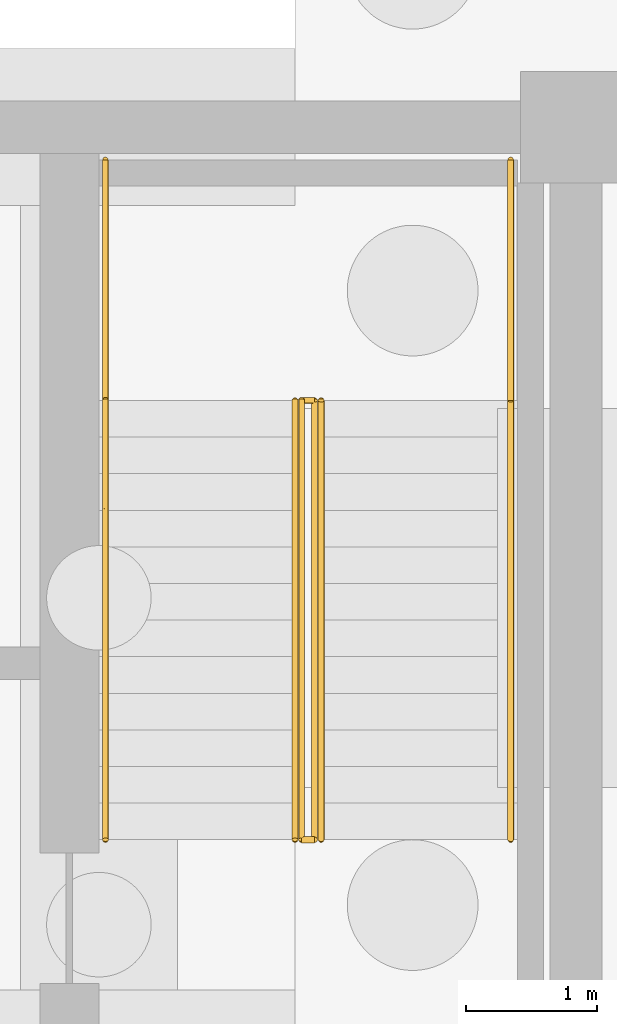
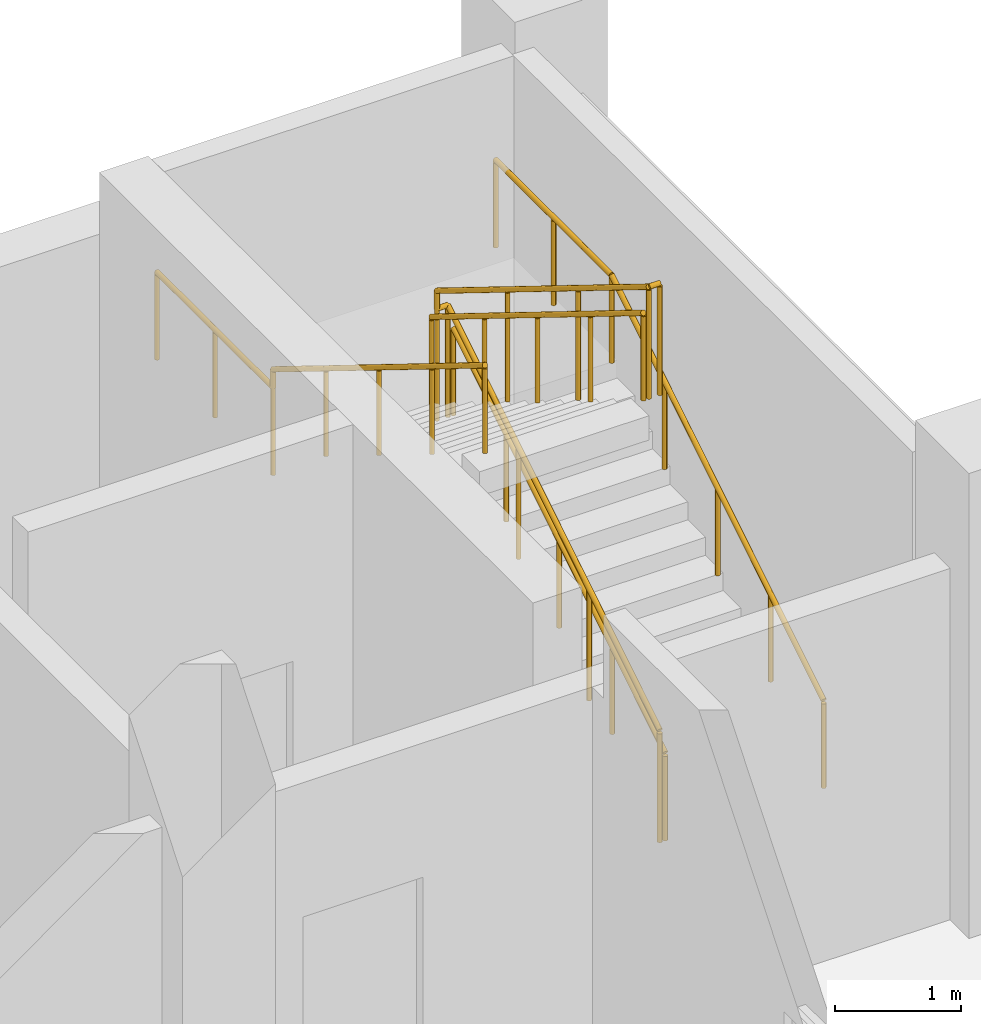
# One storey, part 18 of 19: 5 railings.
"""IFC4 building model written with IfcOpenShell, lengths in metres."""

import ifcopenshell
import ifcopenshell.guid

model = None  # the IFC model being written
_history = None  # IfcOwnerHistory: only IFC2X3 demands one
_inside = {}  # id of a spatial element -> (the spatial element, [elements in it])
_under = {}  # id of a project, library or spatial element -> (it, [spatial elements below it])
_declared = {}  # id of a project -> (the project, [libraries it declares])
_typed = {}  # id of a type object -> (the type object, [elements of that type])
_made_of = {}  # id of a material, layer set ... -> (it, [elements and type objects made of it])


def new_model(schema):
    """Start an empty IFC model of exactly this schema.

    Asked for "IFC4X3", IfcOpenShell would pick the latest addendum, in which some entities
    have other attributes; the version numbers below select the first issue.
    IFC2X3 requires an IfcOwnerHistory on every rooted entity: one is made here for all.
    """
    global model, _history
    if schema == "IFC4X3":
        model = ifcopenshell.file(schema_version=(4, 3, 0, 0))
    else:
        model = ifcopenshell.file(schema=schema)
    _inside.clear()
    _under.clear()
    _declared.clear()
    _typed.clear()
    _made_of.clear()
    _history = None
    if model.schema == "IFC2X3":
        org = make("IfcOrganization", Name="unknown")
        user = make(
            "IfcPersonAndOrganization",
            ThePerson=make("IfcPerson", FamilyName="unknown"),
            TheOrganization=org,
        )
        app = make(
            "IfcApplication",
            ApplicationDeveloper=org,
            Version="unknown",
            ApplicationFullName="unknown",
            ApplicationIdentifier="unknown",
        )
        _history = make(
            "IfcOwnerHistory",
            OwningUser=user,
            OwningApplication=app,
            ChangeAction="ADDED",
            CreationDate=0,
        )
    return model


def make(cls, **values):
    """One entity of the class cls with the attributes given. An attribute that is None is left unset."""
    return model.create_entity(
        cls, **{name: value for name, value in values.items() if value is not None}
    )


def rooted(cls, **values):
    """An entity with a GlobalId (a new one), such as an element, a storey or a relation."""
    return make(cls, GlobalId=ifcopenshell.guid.new(), OwnerHistory=_history, **values)


def si_unit(unit_type, name, prefix=None):
    """IfcSIUnit, for example si_unit("LENGTHUNIT", "METRE", prefix="MILLI")."""
    return make("IfcSIUnit", UnitType=unit_type, Prefix=prefix, Name=name)


def assignment(units):
    """IfcUnitAssignment: the units of a project."""
    return None if units is None else make("IfcUnitAssignment", Units=units)


def point(xyz):
    """IfcCartesianPoint."""
    return None if xyz is None else make("IfcCartesianPoint", Coordinates=xyz)


def direction(xyz):
    """IfcDirection."""
    return None if xyz is None else make("IfcDirection", DirectionRatios=xyz)


def frame(location, z_axis=None, x_axis=None):
    """IfcAxis2Placement3D, a coordinate frame: its origin and axes. An axis left out is left unset."""
    return make(
        "IfcAxis2Placement3D",
        Location=point(location),
        Axis=direction(z_axis),
        RefDirection=direction(x_axis),
    )


def frame_2d(location, x_axis=None):
    """IfcAxis2Placement2D, a coordinate frame in the plane: its origin and x axis."""
    return make(
        "IfcAxis2Placement2D", Location=point(location), RefDirection=direction(x_axis)
    )


def origin():
    """The frame at (0, 0, 0) with its axes left unset."""
    return frame((0.0, 0.0, 0.0))


def origin_2d():
    """The frame at (0, 0) in the plane with its x axis left unset."""
    return frame_2d((0.0, 0.0))


def place(relative_to, where):
    """IfcLocalPlacement: puts the frame where relative to a parent placement (None: the world)."""
    return make(
        "IfcLocalPlacement", PlacementRelTo=relative_to, RelativePlacement=where
    )


def context(
    kind, dimensions, precision=None, world=None, true_north=None, identifier=None
):
    """IfcGeometricRepresentationContext, for example the 3D "Model" context."""
    return make(
        "IfcGeometricRepresentationContext",
        ContextIdentifier=identifier,
        ContextType=kind,
        CoordinateSpaceDimension=dimensions,
        Precision=precision,
        WorldCoordinateSystem=world,
        TrueNorth=true_north,
    )


def subcontext(parent, identifier, kind, view, scale=None):
    """IfcGeometricRepresentationSubContext, for example "Body" below "Model"."""
    return make(
        "IfcGeometricRepresentationSubContext",
        ContextIdentifier=identifier,
        ContextType=kind,
        ParentContext=parent,
        TargetScale=scale,
        TargetView=view,
    )


def project(units=None, contexts=None):
    """IfcProject with its units and contexts."""
    return rooted(
        "IfcProject",
        Name="project",
        RepresentationContexts=contexts,
        UnitsInContext=assignment(units),
    )


def spatial(cls, under=None, at=None, **own):
    """A site, building, storey or space (cls), placed at a placement, below another one or the project."""
    s = rooted(cls, ObjectPlacement=at, **own)
    if under is not None:
        _under.setdefault(under.id(), (under, []))[1].append(s)
    return s


def profile(cls, at=None, kind="AREA", **sizes):
    """A parametric profile (cls). Its sizes go by their IFC names, for example OverallWidth=200.0."""
    return make(cls, ProfileType=kind, Position=at, **sizes)


def circle(**sizes):
    """IfcCircleProfileDef."""
    return profile("IfcCircleProfileDef", **sizes)


def extrude(swept, where, along, depth):
    """IfcExtrudedAreaSolid: the profile swept, set in the frame where, extruded along a direction by depth."""
    return make(
        "IfcExtrudedAreaSolid",
        SweptArea=swept,
        Position=where,
        ExtrudedDirection=direction(along),
        Depth=depth,
    )


def shape(context_of_items, identifier, shape_type, items):
    """IfcShapeRepresentation: the items that make up one representation, for example the "Body"."""
    return make(
        "IfcShapeRepresentation",
        ContextOfItems=context_of_items,
        RepresentationIdentifier=identifier,
        RepresentationType=shape_type,
        Items=items,
    )


def material(Name=None, Category=None):
    """IfcMaterial."""
    return make("IfcMaterial", Name=Name, Category=Category)


def made_of(thing, what):
    """Note that an element or type object is made of a material, layer set ...; save() writes the relation."""
    if what is not None:
        _made_of.setdefault(what.id(), (what, []))[1].append(thing)
    return thing


def type_object(cls, material=None, **own):
    """A type object (cls), such as IfcWallType, which elements share."""
    return made_of(rooted(cls, **own), material)


def element(
    cls,
    number,
    at=None,
    inside=None,
    cuts=None,
    type_object=None,
    material=None,
    context=None,
    identifier="Body",
    shape_type=None,
    held_by="IfcProductDefinitionShape",
    body=None,
    shapes=None,
    **own,
):
    """One element of the class cls, such as IfcWall. Its Tag is "e" and its number.

    at: its placement. inside: the storey or other place that contains it. cuts: it is an
    opening in that element (IfcRelVoidsElement). A single representation is given by context,
    identifier, shape_type and body (its items); several are given by shapes. held_by: the class
    of the entity that holds the representations. save() writes the other relations.
    """
    e = rooted(cls, Tag="e%d" % number, ObjectPlacement=at, **own)
    if body is not None:
        shapes = [shape(context, identifier, shape_type, body)]
    if shapes is not None:
        e.Representation = make(held_by, Representations=shapes)
    if inside is not None:
        _inside.setdefault(inside.id(), (inside, []))[1].append(e)
    if cuts is not None:
        rooted(
            "IfcRelVoidsElement", RelatingBuildingElement=cuts, RelatedOpeningElement=e
        )
    if type_object is not None:
        _typed.setdefault(type_object.id(), (type_object, []))[1].append(e)
    return made_of(e, material)


def aggregate(whole, parts):
    """IfcRelAggregates: a whole, such as a stair, and the parts it consists of."""
    return rooted("IfcRelAggregates", RelatingObject=whole, RelatedObjects=parts)


def save(model, path):
    """Write the relations noted so far, then the file.

    IfcRelAggregates (storeys below a building ...), IfcRelContainedInSpatialStructure (elements
    in a storey), IfcRelDefinesByType, IfcRelAssociatesMaterial and IfcRelDeclares: one each for
    every whole, place, type object, material and project.
    """
    for whole, parts in _under.values():
        aggregate(whole, parts)
    for where, things in _inside.values():
        rooted(
            "IfcRelContainedInSpatialStructure",
            RelatedElements=things,
            RelatingStructure=where,
        )
    for kind, things in _typed.values():
        rooted("IfcRelDefinesByType", RelatedObjects=things, RelatingType=kind)
    for what, things in _made_of.values():
        rooted("IfcRelAssociatesMaterial", RelatedObjects=things, RelatingMaterial=what)
    for by, libraries in _declared.values():
        rooted("IfcRelDeclares", RelatingContext=by, RelatedDefinitions=libraries)
    model.write(path)


model = new_model("IFC4")

# Units and contexts
model_context = context("Model", 3, precision=1e-05, world=origin(), true_north=direction((0.0, 1.0)))
body_context = subcontext(model_context, "Body", "Model", "MODEL_VIEW")
ifc_project = project(units=[si_unit("LENGTHUNIT", "METRE"), si_unit("AREAUNIT", "SQUARE_METRE"), si_unit("VOLUMEUNIT", "CUBIC_METRE"), si_unit("PLANEANGLEUNIT", "RADIAN"), si_unit("MASSUNIT", "GRAM", prefix="KILO")], contexts=[model_context])

# Site, building, storey
site_placement = place(None, origin())
site = spatial("IfcSite", under=ifc_project, at=site_placement, CompositionType="ELEMENT")
building_placement = place(site_placement, origin())
building = spatial("IfcBuilding", under=site, at=building_placement, Name="Silangan Lancet Faculty of Sciences", CompositionType="ELEMENT")
storey_placement = place(building_placement, frame((0.0, 0.0, -4.5)))
storey = spatial("IfcBuildingStorey", under=building, at=storey_placement, Name="B1", CompositionType="ELEMENT", Elevation=-4.5)

# Railings
ifc_material_1 = material(Name="Steel balustrade", Category="steel")
railing_type_1 = type_object("IfcRailingType", Name="STAIR GUARD 1100", PredefinedType="GUARDRAIL", material=ifc_material_1)
railing_1_placement = place(storey_placement, frame((84.39990234375, 52.14990234375, 0.173095703125)))
element("IfcRailing", 1, at=railing_1_placement, inside=storey, type_object=railing_type_1, Name="GUARD-EB-B-B1", PredefinedType="GUARDRAIL", context=body_context, shape_type="SweptSolid", body=[
    extrude(circle(Radius=0.02392578125, at=origin_2d()), frame((0.0, 0.0, 1.076171875), z_axis=(0.0, 0.850623216509, 0.525775754039), x_axis=(-1.0, 0.0, 0.0)), (0.0, 0.0, 1.0), 3.9501953125),
    extrude(circle(Radius=0.02392578125, at=origin_2d()), frame((0.0, 3.360107421875, 3.15283203125), z_axis=(-1.0, 0.0, 0.0), x_axis=(0.0, -1.0, 0.0)), (0.0, 0.0, 1.0), 0.099853515625),
    extrude(circle(Radius=0.02392578125, at=origin_2d()), frame((-0.099853515625, 3.360107421875, 3.15283203125), z_axis=(0.0, 0.0, 1.0), x_axis=(1.0, 0.0, 0.0)), (0.0, 0.0, 1.0), 0.173095703125),
    extrude(circle(Radius=0.02392578125, at=origin_2d()), frame((-0.099853515625, 3.360107421875, 3.326171875), z_axis=(0.0, -0.850623216509, 0.525775754039), x_axis=(1.0, 0.0, 0.0)), (0.0, 0.0, 1.0), 3.9501953125),
    extrude(circle(Radius=0.02392578125, at=origin_2d()), frame((-0.099853515625, 0.0, 5.40283203125), z_axis=(1.0, 0.0, 0.0), x_axis=(0.0, 1.0, 0.0)), (0.0, 0.0, 1.0), 0.099853515625),
    extrude(circle(Radius=0.02099609375, at=origin_2d()), origin(), (0.0, 0.0, 1.0), 1.052001953125),
    extrude(circle(Radius=0.02099609375, at=origin_2d()), frame((0.0, 1.1201171875, 0.6923828125)), (0.0, 0.0, 1.0), 1.052001953125),
    extrude(circle(Radius=0.02099609375, at=origin_2d()), frame((0.0, 2.239990234375, 1.384521484375)), (0.0, 0.0, 1.0), 1.052001953125),
    extrude(circle(Radius=0.02099609375, at=origin_2d()), frame((0.0, 3.360107421875, 2.076904296875)), (0.0, 0.0, 1.0), 1.052001953125),
    extrude(circle(Radius=0.02099609375, at=origin_2d()), frame((-0.099853515625, 3.360107421875, 2.076904296875)), (0.0, 0.0, 1.0), 1.052001953125),
    extrude(circle(Radius=0.02099609375, at=origin_2d()), frame((-0.099853515625, 3.360107421875, 2.25)), (0.0, 0.0, 1.0), 1.052001953125),
    extrude(circle(Radius=0.02099609375, at=origin_2d()), frame((-0.099853515625, 2.239990234375, 2.9423828125)), (0.0, 0.0, 1.0), 1.052001953125),
    extrude(circle(Radius=0.02099609375, at=origin_2d()), frame((-0.099853515625, 1.1201171875, 3.634521484375)), (0.0, 0.0, 1.0), 1.052001953125),
    extrude(circle(Radius=0.02099609375, at=origin_2d()), frame((-0.099853515625, 0.0, 4.326904296875)), (0.0, 0.0, 1.0), 1.052001953125),
    extrude(circle(Radius=0.02099609375, at=origin_2d()), frame((0.0, 0.0, 4.326904296875)), (0.0, 0.0, 1.0), 1.052001953125),
])
ifc_material_2 = material(Name="Stainless steel", Category="steel")
railing_type_2 = type_object("IfcRailingType", Name="STAIR HANDRAIL 865", PredefinedType="HANDRAIL", material=ifc_material_2)
railing_2_placement = place(storey_placement, frame((85.89990234375, 52.14990234375, 0.173095703125)))
element("IfcRailing", 2, at=railing_2_placement, inside=storey, type_object=railing_type_2, Name="HANDRAIL-EB-B-B1-O1", PredefinedType="HANDRAIL", context=body_context, shape_type="SweptSolid", body=[
    extrude(circle(Radius=0.02392578125, at=origin_2d()), frame((0.0, 0.0, 0.8408203125), z_axis=(0.0, 0.85061266112, 0.525792830631), x_axis=(-1.0, 0.0, 0.0)), (0.0, 0.0, 1.0), 0.987548828125),
    extrude(circle(Radius=0.02392578125, at=origin_2d()), frame((0.0, 0.840087890625, 1.3603515625), z_axis=(0.0, 0.850723215571, 0.525613936734), x_axis=(-1.0, 0.0, 0.0)), (0.0, 0.0, 1.0), 0.987548828125),
    extrude(circle(Radius=0.02392578125, at=origin_2d()), frame((0.0, 1.68017578125, 1.87939453125), z_axis=(0.0, 0.850544299321, 0.52590340833), x_axis=(-1.0, 0.0, 0.0)), (0.0, 0.0, 1.0), 0.9873046875),
    extrude(circle(Radius=0.02392578125, at=origin_2d()), frame((0.0, 2.52001953125, 2.3984375), z_axis=(0.0, 0.85061266112, 0.525792830631), x_axis=(-1.0, 0.0, 0.0)), (0.0, 0.0, 1.0), 0.987548828125),
    extrude(circle(Radius=0.02392578125, at=origin_2d()), frame((0.0, 3.360107421875, 2.91796875), z_axis=(0.0, 1.0, 0.0), x_axis=(-1.0, 0.0, 0.0)), (0.0, 0.0, 1.0), 1.840087890625),
    extrude(circle(Radius=0.02099609375, at=origin_2d()), origin(), (0.0, 0.0, 1.0), 0.81689453125),
    extrude(circle(Radius=0.02099609375, at=origin_2d()), frame((0.0, 0.840087890625, 0.519287109375)), (0.0, 0.0, 1.0), 0.81689453125),
    extrude(circle(Radius=0.02099609375, at=origin_2d()), frame((0.0, 1.68017578125, 1.038330078125)), (0.0, 0.0, 1.0), 0.81689453125),
    extrude(circle(Radius=0.02099609375, at=origin_2d()), frame((0.0, 2.52001953125, 1.5576171875)), (0.0, 0.0, 1.0), 0.81689453125),
    extrude(circle(Radius=0.02099609375, at=origin_2d()), frame((0.0, 3.360107421875, 2.076904296875)), (0.0, 0.0, 1.0), 0.81689453125),
    extrude(circle(Radius=0.02099609375, at=origin_2d()), frame((0.0, 4.2802734375, 2.076904296875)), (0.0, 0.0, 1.0), 0.81689453125),
    extrude(circle(Radius=0.02099609375, at=origin_2d()), frame((0.0, 5.2001953125, 2.076904296875)), (0.0, 0.0, 1.0), 0.81689453125),
])
railing_3_placement = place(storey_placement, frame((84.449951171875, 52.14990234375, 0.173095703125)))
element("IfcRailing", 3, at=railing_3_placement, inside=storey, type_object=railing_type_2, Name="HANDRAIL-EB-B-B1-I1", PredefinedType="HANDRAIL", context=body_context, shape_type="SweptSolid", body=[
    extrude(circle(Radius=0.02392578125, at=origin_2d()), frame((0.0, 0.0, 0.8408203125), z_axis=(0.0, 0.85061266112, 0.525792830631), x_axis=(-1.0, 0.0, 0.0)), (0.0, 0.0, 1.0), 0.987548828125),
    extrude(circle(Radius=0.02392578125, at=origin_2d()), frame((0.0, 0.840087890625, 1.3603515625), z_axis=(0.0, 0.850723215571, 0.525613936734), x_axis=(-1.0, 0.0, 0.0)), (0.0, 0.0, 1.0), 0.987548828125),
    extrude(circle(Radius=0.02392578125, at=origin_2d()), frame((0.0, 1.68017578125, 1.87939453125), z_axis=(0.0, 0.850544299321, 0.52590340833), x_axis=(-1.0, 0.0, 0.0)), (0.0, 0.0, 1.0), 0.9873046875),
    extrude(circle(Radius=0.02392578125, at=origin_2d()), frame((0.0, 2.52001953125, 2.3984375), z_axis=(0.0, 0.85061266112, 0.525792830631), x_axis=(-1.0, 0.0, 0.0)), (0.0, 0.0, 1.0), 0.987548828125),
    extrude(circle(Radius=0.02099609375, at=origin_2d()), origin(), (0.0, 0.0, 1.0), 0.81689453125),
    extrude(circle(Radius=0.02099609375, at=origin_2d()), frame((0.0, 0.840087890625, 0.519287109375)), (0.0, 0.0, 1.0), 0.81689453125),
    extrude(circle(Radius=0.02099609375, at=origin_2d()), frame((0.0, 1.68017578125, 1.038330078125)), (0.0, 0.0, 1.0), 0.81689453125),
    extrude(circle(Radius=0.02099609375, at=origin_2d()), frame((0.0, 2.52001953125, 1.5576171875)), (0.0, 0.0, 1.0), 0.81689453125),
    extrude(circle(Radius=0.02099609375, at=origin_2d()), frame((0.0, 3.360107421875, 2.076904296875)), (0.0, 0.0, 1.0), 0.81689453125),
])
railing_4_placement = place(storey_placement, frame((82.800048828125, 57.35009765625, 2.25)))
element("IfcRailing", 4, at=railing_4_placement, inside=storey, type_object=railing_type_2, Name="HANDRAIL-EB-B-B1-O2", PredefinedType="HANDRAIL", context=body_context, shape_type="SweptSolid", body=[
    extrude(circle(Radius=0.02392578125, at=origin_2d()), frame((0.0, 0.0, 0.8408203125), z_axis=(0.0, -1.0, 0.0), x_axis=(1.0, 0.0, 0.0)), (0.0, 0.0, 1.0), 1.840087890625),
    extrude(circle(Radius=0.02392578125, at=origin_2d()), frame((0.0, -1.840087890625, 0.8408203125), z_axis=(0.0, 0.0, 1.0), x_axis=(1.0, 0.0, 0.0)), (0.0, 0.0, 1.0), 0.173095703125),
    extrude(circle(Radius=0.02392578125, at=origin_2d()), frame((0.0, -1.840087890625, 1.01416015625), z_axis=(0.0, -0.85061266112, 0.525792830631), x_axis=(1.0, 0.0, 0.0)), (0.0, 0.0, 1.0), 0.987548828125),
    extrude(circle(Radius=0.02392578125, at=origin_2d()), frame((0.0, -2.68017578125, 1.533203125), z_axis=(0.0, -0.850654891397, 0.525724505556), x_axis=(1.0, 0.0, 0.0)), (0.0, 0.0, 1.0), 0.9873046875),
    extrude(circle(Radius=0.02392578125, at=origin_2d()), frame((0.0, -3.52001953125, 2.05224609375), z_axis=(0.0, -0.85061266112, 0.525792830631), x_axis=(1.0, 0.0, 0.0)), (0.0, 0.0, 1.0), 0.987548828125),
    extrude(circle(Radius=0.02392578125, at=origin_2d()), frame((0.0, -4.360107421875, 2.57177734375), z_axis=(0.0, -0.85061266112, 0.525792830631), x_axis=(1.0, 0.0, 0.0)), (0.0, 0.0, 1.0), 0.987548828125),
    extrude(circle(Radius=0.02099609375, at=origin_2d()), origin(), (0.0, 0.0, 1.0), 0.81689453125),
    extrude(circle(Radius=0.02099609375, at=origin_2d()), frame((0.0, -0.919921875, 0.0)), (0.0, 0.0, 1.0), 0.81689453125),
    extrude(circle(Radius=0.02099609375, at=origin_2d()), frame((0.0, -1.840087890625, 0.0)), (0.0, 0.0, 1.0), 0.81689453125),
    extrude(circle(Radius=0.02099609375, at=origin_2d()), frame((0.0, -1.840087890625, 0.173095703125)), (0.0, 0.0, 1.0), 0.81689453125),
    extrude(circle(Radius=0.02099609375, at=origin_2d()), frame((0.0, -2.68017578125, 0.6923828125)), (0.0, 0.0, 1.0), 0.81689453125),
    extrude(circle(Radius=0.02099609375, at=origin_2d()), frame((0.0, -3.52001953125, 1.21142578125)), (0.0, 0.0, 1.0), 0.81689453125),
    extrude(circle(Radius=0.02099609375, at=origin_2d()), frame((0.0, -4.360107421875, 1.730712890625)), (0.0, 0.0, 1.0), 0.81689453125),
    extrude(circle(Radius=0.02099609375, at=origin_2d()), frame((0.0, -5.2001953125, 2.25)), (0.0, 0.0, 1.0), 0.81689453125),
])
railing_5_placement = place(storey_placement, frame((84.25, 55.510009765625, 2.423095703125)))
element("IfcRailing", 5, at=railing_5_placement, inside=storey, type_object=railing_type_2, Name="HANDRAIL-EB-B-B1-I2", PredefinedType="HANDRAIL", context=body_context, shape_type="SweptSolid", body=[
    extrude(circle(Radius=0.02392578125, at=origin_2d()), frame((0.0, 0.0, 0.8408203125), z_axis=(0.0, -0.85061266112, 0.525792830631), x_axis=(1.0, 0.0, 0.0)), (0.0, 0.0, 1.0), 0.987548828125),
    extrude(circle(Radius=0.02392578125, at=origin_2d()), frame((0.0, -0.840087890625, 1.3603515625), z_axis=(0.0, -0.850654891397, 0.525724505556), x_axis=(1.0, 0.0, 0.0)), (0.0, 0.0, 1.0), 0.9873046875),
    extrude(circle(Radius=0.02392578125, at=origin_2d()), frame((0.0, -1.679931640625, 1.87939453125), z_axis=(0.0, -0.85061266112, 0.525792830631), x_axis=(1.0, 0.0, 0.0)), (0.0, 0.0, 1.0), 0.987548828125),
    extrude(circle(Radius=0.02392578125, at=origin_2d()), frame((0.0, -2.52001953125, 2.3984375), z_axis=(0.0, -0.85061266112, 0.525792830631), x_axis=(1.0, 0.0, 0.0)), (0.0, 0.0, 1.0), 0.987548828125),
    extrude(circle(Radius=0.02099609375, at=origin_2d()), origin(), (0.0, 0.0, 1.0), 0.81689453125),
    extrude(circle(Radius=0.02099609375, at=origin_2d()), frame((0.0, -0.840087890625, 0.519287109375)), (0.0, 0.0, 1.0), 0.81689453125),
    extrude(circle(Radius=0.02099609375, at=origin_2d()), frame((0.0, -1.679931640625, 1.038330078125)), (0.0, 0.0, 1.0), 0.81689453125),
    extrude(circle(Radius=0.02099609375, at=origin_2d()), frame((0.0, -2.52001953125, 1.5576171875)), (0.0, 0.0, 1.0), 0.81689453125),
    extrude(circle(Radius=0.02099609375, at=origin_2d()), frame((0.0, -3.360107421875, 2.076904296875)), (0.0, 0.0, 1.0), 0.81689453125),
])

save(model, "model.ifc")
